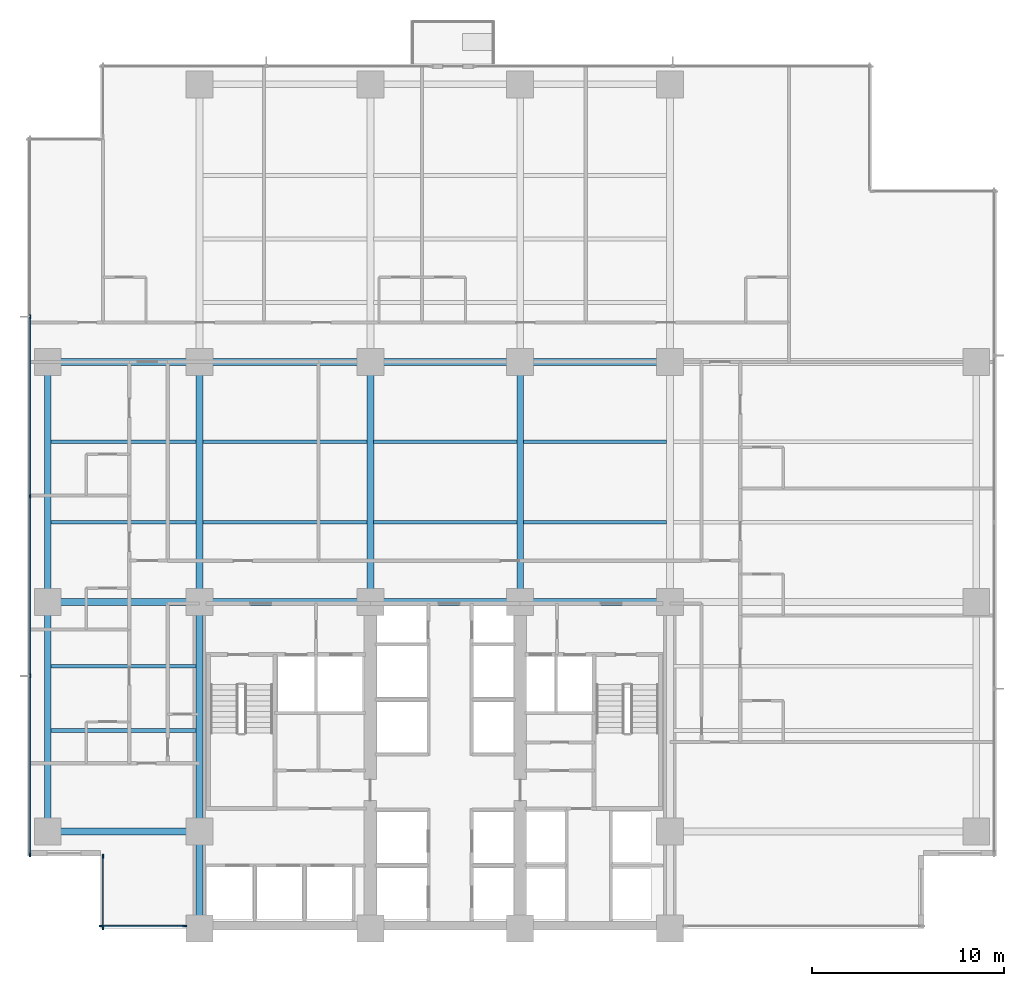
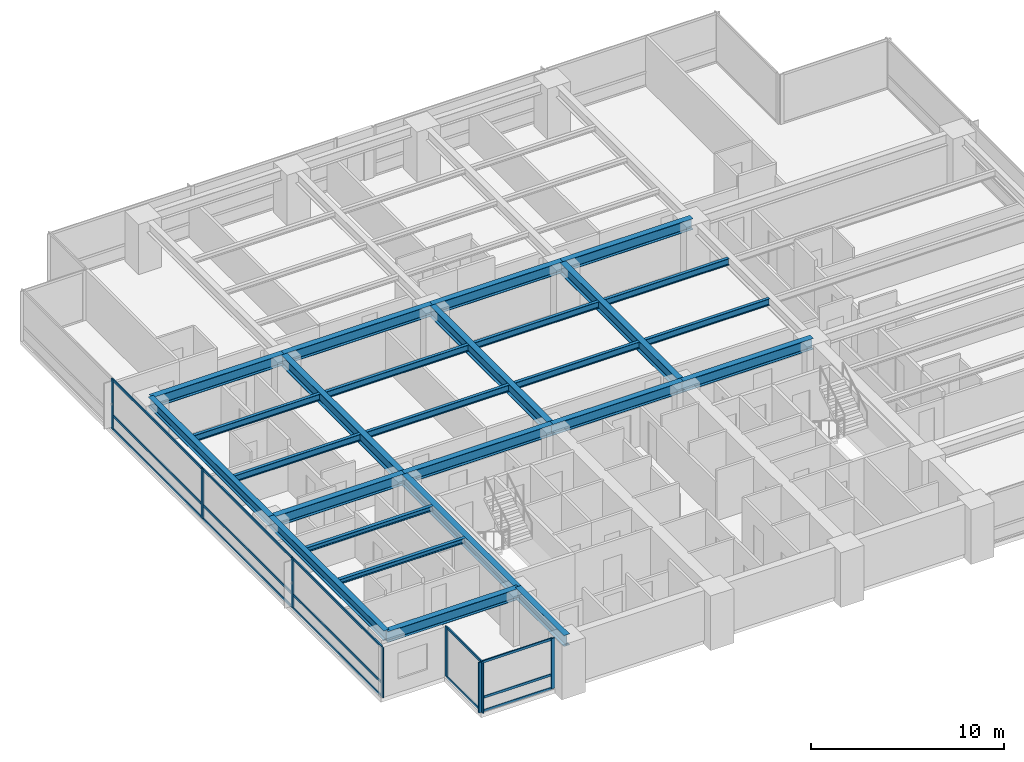
# One storey, part 2 of 16: 26 beams, 22 members, 3 elements without a shape of their own.
"""IFC4 building model written with IfcOpenShell, lengths in metres."""

import ifcopenshell
import ifcopenshell.guid

model = None  # the IFC model being written
_history = None  # IfcOwnerHistory: only IFC2X3 demands one
_inside = {}  # id of a spatial element -> (the spatial element, [elements in it])
_under = {}  # id of a project, library or spatial element -> (it, [spatial elements below it])
_declared = {}  # id of a project -> (the project, [libraries it declares])
_typed = {}  # id of a type object -> (the type object, [elements of that type])
_made_of = {}  # id of a material, layer set ... -> (it, [elements and type objects made of it])


def new_model(schema):
    """Start an empty IFC model of exactly this schema.

    Asked for "IFC4X3", IfcOpenShell would pick the latest addendum, in which some entities
    have other attributes; the version numbers below select the first issue.
    IFC2X3 requires an IfcOwnerHistory on every rooted entity: one is made here for all.
    """
    global model, _history
    if schema == "IFC4X3":
        model = ifcopenshell.file(schema_version=(4, 3, 0, 0))
    else:
        model = ifcopenshell.file(schema=schema)
    _inside.clear()
    _under.clear()
    _declared.clear()
    _typed.clear()
    _made_of.clear()
    _history = None
    if model.schema == "IFC2X3":
        org = make("IfcOrganization", Name="unknown")
        user = make(
            "IfcPersonAndOrganization",
            ThePerson=make("IfcPerson", FamilyName="unknown"),
            TheOrganization=org,
        )
        app = make(
            "IfcApplication",
            ApplicationDeveloper=org,
            Version="unknown",
            ApplicationFullName="unknown",
            ApplicationIdentifier="unknown",
        )
        _history = make(
            "IfcOwnerHistory",
            OwningUser=user,
            OwningApplication=app,
            ChangeAction="ADDED",
            CreationDate=0,
        )
    return model


def make(cls, **values):
    """One entity of the class cls with the attributes given. An attribute that is None is left unset."""
    return model.create_entity(
        cls, **{name: value for name, value in values.items() if value is not None}
    )


def rooted(cls, **values):
    """An entity with a GlobalId (a new one), such as an element, a storey or a relation."""
    return make(cls, GlobalId=ifcopenshell.guid.new(), OwnerHistory=_history, **values)


def si_unit(unit_type, name, prefix=None):
    """IfcSIUnit, for example si_unit("LENGTHUNIT", "METRE", prefix="MILLI")."""
    return make("IfcSIUnit", UnitType=unit_type, Prefix=prefix, Name=name)


def assignment(units):
    """IfcUnitAssignment: the units of a project."""
    return None if units is None else make("IfcUnitAssignment", Units=units)


def point(xyz):
    """IfcCartesianPoint."""
    return None if xyz is None else make("IfcCartesianPoint", Coordinates=xyz)


def direction(xyz):
    """IfcDirection."""
    return None if xyz is None else make("IfcDirection", DirectionRatios=xyz)


def frame(location, z_axis=None, x_axis=None):
    """IfcAxis2Placement3D, a coordinate frame: its origin and axes. An axis left out is left unset."""
    return make(
        "IfcAxis2Placement3D",
        Location=point(location),
        Axis=direction(z_axis),
        RefDirection=direction(x_axis),
    )


def frame_2d(location, x_axis=None):
    """IfcAxis2Placement2D, a coordinate frame in the plane: its origin and x axis."""
    return make(
        "IfcAxis2Placement2D", Location=point(location), RefDirection=direction(x_axis)
    )


def origin():
    """The frame at (0, 0, 0) with its axes left unset."""
    return frame((0.0, 0.0, 0.0))


def origin_2d():
    """The frame at (0, 0) in the plane with its x axis left unset."""
    return frame_2d((0.0, 0.0))


def place(relative_to, where):
    """IfcLocalPlacement: puts the frame where relative to a parent placement (None: the world)."""
    return make(
        "IfcLocalPlacement", PlacementRelTo=relative_to, RelativePlacement=where
    )


def context(
    kind, dimensions, precision=None, world=None, true_north=None, identifier=None
):
    """IfcGeometricRepresentationContext, for example the 3D "Model" context."""
    return make(
        "IfcGeometricRepresentationContext",
        ContextIdentifier=identifier,
        ContextType=kind,
        CoordinateSpaceDimension=dimensions,
        Precision=precision,
        WorldCoordinateSystem=world,
        TrueNorth=true_north,
    )


def subcontext(parent, identifier, kind, view, scale=None):
    """IfcGeometricRepresentationSubContext, for example "Body" below "Model"."""
    return make(
        "IfcGeometricRepresentationSubContext",
        ContextIdentifier=identifier,
        ContextType=kind,
        ParentContext=parent,
        TargetScale=scale,
        TargetView=view,
    )


def project(units=None, contexts=None):
    """IfcProject with its units and contexts."""
    return rooted(
        "IfcProject",
        Name="project",
        RepresentationContexts=contexts,
        UnitsInContext=assignment(units),
    )


def spatial(cls, under=None, at=None, **own):
    """A site, building, storey or space (cls), placed at a placement, below another one or the project."""
    s = rooted(cls, ObjectPlacement=at, **own)
    if under is not None:
        _under.setdefault(under.id(), (under, []))[1].append(s)
    return s


def profile(cls, at=None, kind="AREA", **sizes):
    """A parametric profile (cls). Its sizes go by their IFC names, for example OverallWidth=200.0."""
    return make(cls, ProfileType=kind, Position=at, **sizes)


def rectangle(**sizes):
    """IfcRectangleProfileDef."""
    return profile("IfcRectangleProfileDef", **sizes)


def i_section(**sizes):
    """IfcIShapeProfileDef."""
    return profile("IfcIShapeProfileDef", **sizes)


def extrude(swept, where, along, depth):
    """IfcExtrudedAreaSolid: the profile swept, set in the frame where, extruded along a direction by depth."""
    return make(
        "IfcExtrudedAreaSolid",
        SweptArea=swept,
        Position=where,
        ExtrudedDirection=direction(along),
        Depth=depth,
    )


def shape(context_of_items, identifier, shape_type, items):
    """IfcShapeRepresentation: the items that make up one representation, for example the "Body"."""
    return make(
        "IfcShapeRepresentation",
        ContextOfItems=context_of_items,
        RepresentationIdentifier=identifier,
        RepresentationType=shape_type,
        Items=items,
    )


def material(Name=None, Category=None):
    """IfcMaterial."""
    return make("IfcMaterial", Name=Name, Category=Category)


def layer(
    of_material, thickness, ventilated=None, Name=None, Category=None, Priority=None
):
    """IfcMaterialLayer: one layer of a wall or slab, of a material (None: an air gap)."""
    return make(
        "IfcMaterialLayer",
        Material=of_material,
        LayerThickness=thickness,
        IsVentilated=ventilated,
        Name=Name,
        Category=Category,
        Priority=Priority,
    )


def layer_set(layers, Name=None):
    """IfcMaterialLayerSet."""
    return make("IfcMaterialLayerSet", MaterialLayers=layers, LayerSetName=Name)


def material_profile(
    of_material, cross_section, Name=None, Category=None, Priority=None
):
    """IfcMaterialProfile: a cross section and its material."""
    return make(
        "IfcMaterialProfile",
        Name=Name,
        Material=of_material,
        Profile=cross_section,
        Priority=Priority,
        Category=Category,
    )


def profile_set(profiles, Name=None, composite=None):
    """IfcMaterialProfileSet."""
    return make(
        "IfcMaterialProfileSet",
        Name=Name,
        MaterialProfiles=profiles,
        CompositeProfile=composite,
    )


def made_of(thing, what):
    """Note that an element or type object is made of a material, layer set ...; save() writes the relation."""
    if what is not None:
        _made_of.setdefault(what.id(), (what, []))[1].append(thing)
    return thing


def type_object(cls, material=None, **own):
    """A type object (cls), such as IfcWallType, which elements share."""
    return made_of(rooted(cls, **own), material)


def element(
    cls,
    number,
    at=None,
    inside=None,
    cuts=None,
    type_object=None,
    material=None,
    context=None,
    identifier="Body",
    shape_type=None,
    held_by="IfcProductDefinitionShape",
    body=None,
    shapes=None,
    **own,
):
    """One element of the class cls, such as IfcWall. Its Tag is "e" and its number.

    at: its placement. inside: the storey or other place that contains it. cuts: it is an
    opening in that element (IfcRelVoidsElement). A single representation is given by context,
    identifier, shape_type and body (its items); several are given by shapes. held_by: the class
    of the entity that holds the representations. save() writes the other relations.
    """
    e = rooted(cls, Tag="e%d" % number, ObjectPlacement=at, **own)
    if body is not None:
        shapes = [shape(context, identifier, shape_type, body)]
    if shapes is not None:
        e.Representation = make(held_by, Representations=shapes)
    if inside is not None:
        _inside.setdefault(inside.id(), (inside, []))[1].append(e)
    if cuts is not None:
        rooted(
            "IfcRelVoidsElement", RelatingBuildingElement=cuts, RelatedOpeningElement=e
        )
    if type_object is not None:
        _typed.setdefault(type_object.id(), (type_object, []))[1].append(e)
    return made_of(e, material)


def aggregate(whole, parts):
    """IfcRelAggregates: a whole, such as a stair, and the parts it consists of."""
    return rooted("IfcRelAggregates", RelatingObject=whole, RelatedObjects=parts)


def save(model, path):
    """Write the relations noted so far, then the file.

    IfcRelAggregates (storeys below a building ...), IfcRelContainedInSpatialStructure (elements
    in a storey), IfcRelDefinesByType, IfcRelAssociatesMaterial and IfcRelDeclares: one each for
    every whole, place, type object, material and project.
    """
    for whole, parts in _under.values():
        aggregate(whole, parts)
    for where, things in _inside.values():
        rooted(
            "IfcRelContainedInSpatialStructure",
            RelatedElements=things,
            RelatingStructure=where,
        )
    for kind, things in _typed.values():
        rooted("IfcRelDefinesByType", RelatedObjects=things, RelatingType=kind)
    for what, things in _made_of.values():
        rooted("IfcRelAssociatesMaterial", RelatedObjects=things, RelatingMaterial=what)
    for by, libraries in _declared.values():
        rooted("IfcRelDeclares", RelatingContext=by, RelatedDefinitions=libraries)
    model.write(path)


model = new_model("IFC4")

# Units and contexts
model_context = context("Model", 3, precision=1e-05, world=origin(), true_north=direction((0.0, 1.0)))
body_context = subcontext(model_context, "Body", "Model", "MODEL_VIEW")
ifc_project = project(units=[si_unit("LENGTHUNIT", "METRE"), si_unit("AREAUNIT", "SQUARE_METRE"), si_unit("VOLUMEUNIT", "CUBIC_METRE"), si_unit("PLANEANGLEUNIT", "RADIAN"), si_unit("MASSUNIT", "GRAM", prefix="KILO")], contexts=[model_context])

# Site, building, storey
site_placement = place(None, origin())
site = spatial("IfcSite", under=ifc_project, at=site_placement, CompositionType="ELEMENT")
building_placement = place(site_placement, origin())
building = spatial("IfcBuilding", under=site, at=building_placement, Name="Qalmaran Belvedere Hotel", CompositionType="ELEMENT")
storey_placement = place(building_placement, frame((0.0, 0.0, 71.89990234375)))
storey = spatial("IfcBuildingStorey", under=building, at=storey_placement, Name="L18", CompositionType="ELEMENT", Elevation=71.89990234375)

# Beams
ifc_material_1 = material(Name="Steel S355JR", Category="steel")
ifc_material_profile_1 = material_profile(ifc_material_1, i_section(OverallWidth=0.202880859375, OverallDepth=0.302978515625, WebThickness=0.007568359375, FlangeThickness=0.01318359375, FilletRadius=0.012939453125, at=origin_2d()), Name="W310X60")
ifc_profile_set_1 = profile_set([ifc_material_profile_1], Name="Steel S355JR")
beam_type_1 = type_object("IfcBeamType", Name="BM-JST-W310X60", PredefinedType="JOIST", material=ifc_profile_set_1)
for number, where, z_axis, x_axis, name in (
    (1, (12.5615234375, 13.800048828125, 3.028564453125), (1.0, 0.0, 0.0), (0.0, 1.0, 0.0), "L18 West Wing Joist 038"),
    (2, (12.5615234375, 17.14990234375, 3.028564453125), (1.0, 0.0, 0.0), (0.0, 1.0, 0.0), "L18 West Wing Joist 040"),
):
    element("IfcBeam", number, at=place(storey_placement, frame(where, z_axis=z_axis, x_axis=x_axis)), inside=storey, type_object=beam_type_1, Name=name, PredefinedType="JOIST", context=body_context, shape_type="SweptSolid", body=[
        extrude(i_section(OverallWidth=0.202880859375, OverallDepth=0.302978515625, WebThickness=0.007568359375, FlangeThickness=0.01318359375, FilletRadius=0.012939453125, at=origin_2d()), origin(), (0.0, 0.0, 1.0), 7.56298828125),
    ])
ifc_material_profile_2 = material_profile(ifc_material_1, i_section(OverallWidth=0.180908203125, OverallDepth=0.4169921875, WebThickness=0.010986328125, FlangeThickness=0.018310546875, FilletRadius=0.014892578125, at=origin_2d()), Name="W410X85")
ifc_profile_set_2 = profile_set([ifc_material_profile_2], Name="Steel S355JR")
beam_type_2 = type_object("IfcBeamType", Name="BM-SB1-W410X85", PredefinedType="BEAM", material=ifc_profile_set_2)
beam_1_placement = place(storey_placement, frame((12.5615234375, 24.64990234375, 2.9716796875), z_axis=(1.0, 0.0, 0.0), x_axis=(0.0, 1.0, 0.0)))
element("IfcBeam", 3, at=beam_1_placement, inside=storey, type_object=beam_type_2, Name="L18 West Secondary Beam 028", PredefinedType="BEAM", context=body_context, shape_type="SweptSolid", body=[
    extrude(i_section(OverallWidth=0.180908203125, OverallDepth=0.4169921875, WebThickness=0.010986328125, FlangeThickness=0.018310546875, FilletRadius=0.014892578125, at=origin_2d()), origin(), (0.0, 0.0, 1.0), 7.56298828125),
])
beam_2_placement = place(storey_placement, frame((20.4755859375, 24.64990234375, 2.9716796875), z_axis=(1.0, 0.0, 0.0), x_axis=(0.0, 1.0, 0.0)))
element("IfcBeam", 4, at=beam_2_placement, inside=storey, type_object=beam_type_2, Name="L18 Secondary Floor Beam 029", PredefinedType="BEAM", context=body_context, shape_type="SweptSolid", body=[
    extrude(i_section(OverallWidth=0.180908203125, OverallDepth=0.4169921875, WebThickness=0.010986328125, FlangeThickness=0.018310546875, FilletRadius=0.014892578125, at=origin_2d()), origin(), (0.0, 0.0, 1.0), 8.548828125),
])
for number, where, z_axis, x_axis, name in (
    (5, (29.37548828125, 24.64990234375, 2.9716796875), (1.0, 0.0, 0.0), (0.0, 1.0, 0.0), "L18 Secondary Floor Beam 030"),
    (6, (37.175537109375, 24.64990234375, 2.9716796875), (1.0, 0.0, 0.0), (0.0, 1.0, 0.0), "L18 Secondary Floor Beam 031"),
):
    element("IfcBeam", number, at=place(storey_placement, frame(where, z_axis=z_axis, x_axis=x_axis)), inside=storey, type_object=beam_type_2, Name=name, PredefinedType="BEAM", context=body_context, shape_type="SweptSolid", body=[
        extrude(i_section(OverallWidth=0.180908203125, OverallDepth=0.4169921875, WebThickness=0.010986328125, FlangeThickness=0.018310546875, FilletRadius=0.014892578125, at=origin_2d()), origin(), (0.0, 0.0, 1.0), 7.448974609375),
    ])
beam_3_placement = place(storey_placement, frame((12.5615234375, 28.85009765625, 2.9716796875), z_axis=(1.0, 0.0, 0.0), x_axis=(0.0, 1.0, 0.0)))
element("IfcBeam", 7, at=beam_3_placement, inside=storey, type_object=beam_type_2, Name="L18 West Secondary Beam 033", PredefinedType="BEAM", context=body_context, shape_type="SweptSolid", body=[
    extrude(i_section(OverallWidth=0.180908203125, OverallDepth=0.4169921875, WebThickness=0.010986328125, FlangeThickness=0.018310546875, FilletRadius=0.014892578125, at=origin_2d()), origin(), (0.0, 0.0, 1.0), 7.56298828125),
])
beam_4_placement = place(storey_placement, frame((20.4755859375, 28.85009765625, 2.9716796875), z_axis=(1.0, 0.0, 0.0), x_axis=(0.0, 1.0, 0.0)))
element("IfcBeam", 8, at=beam_4_placement, inside=storey, type_object=beam_type_2, Name="L18 Secondary Floor Beam 034", PredefinedType="BEAM", context=body_context, shape_type="SweptSolid", body=[
    extrude(i_section(OverallWidth=0.180908203125, OverallDepth=0.4169921875, WebThickness=0.010986328125, FlangeThickness=0.018310546875, FilletRadius=0.014892578125, at=origin_2d()), origin(), (0.0, 0.0, 1.0), 8.548828125),
])
for number, where, z_axis, x_axis, name in (
    (9, (29.37548828125, 28.85009765625, 2.9716796875), (1.0, 0.0, 0.0), (0.0, 1.0, 0.0), "L18 Secondary Floor Beam 035"),
    (10, (37.175537109375, 28.85009765625, 2.9716796875), (1.0, 0.0, 0.0), (0.0, 1.0, 0.0), "L18 Secondary Floor Beam 036"),
):
    element("IfcBeam", number, at=place(storey_placement, frame(where, z_axis=z_axis, x_axis=x_axis)), inside=storey, type_object=beam_type_2, Name=name, PredefinedType="BEAM", context=body_context, shape_type="SweptSolid", body=[
        extrude(i_section(OverallWidth=0.180908203125, OverallDepth=0.4169921875, WebThickness=0.010986328125, FlangeThickness=0.018310546875, FilletRadius=0.014892578125, at=origin_2d()), origin(), (0.0, 0.0, 1.0), 7.448974609375),
    ])
ifc_material_profile_3 = material_profile(ifc_material_1, i_section(OverallWidth=0.326904296875, OverallDepth=0.6220703125, WebThickness=0.015380859375, FlangeThickness=0.0244140625, FilletRadius=0.02001953125, at=origin_2d()), Name="W610X195")
ifc_profile_set_3 = profile_set([ifc_material_profile_3], Name="Steel S355JR")
beam_type_3 = type_object("IfcBeamType", Name="BM-SP1-W610X195", PredefinedType="SPANDREL", material=ifc_profile_set_3)
beam_5_placement = place(storey_placement, frame((12.39990234375, 8.550048828125, 2.869140625), z_axis=(0.0, 1.0, 0.0), x_axis=(-1.0, 0.0, 0.0)))
element("IfcBeam", 11, at=beam_5_placement, inside=storey, type_object=beam_type_3, Name="L18 Perimeter Spandrel 01", PredefinedType="SPANDREL", context=body_context, shape_type="SweptSolid", body=[
    extrude(i_section(OverallWidth=0.326904296875, OverallDepth=0.6220703125, WebThickness=0.015380859375, FlangeThickness=0.0244140625, FilletRadius=0.02001953125, at=origin_2d()), origin(), (0.0, 0.0, 1.0), 11.949951171875),
])
beam_6_placement = place(storey_placement, frame((12.39990234375, 20.5, 2.869140625), z_axis=(0.0, 1.0, 0.0), x_axis=(-1.0, 0.0, 0.0)))
element("IfcBeam", 12, at=beam_6_placement, inside=storey, type_object=beam_type_3, Name="L18 Perimeter Spandrel 02", PredefinedType="SPANDREL", context=body_context, shape_type="SweptSolid", body=[
    extrude(i_section(OverallWidth=0.326904296875, OverallDepth=0.6220703125, WebThickness=0.015380859375, FlangeThickness=0.0244140625, FilletRadius=0.02001953125, at=origin_2d()), origin(), (0.0, 0.0, 1.0), 12.5),
])
ifc_material_profile_4 = material_profile(ifc_material_1, i_section(OverallWidth=0.35498046875, OverallDepth=0.695068359375, WebThickness=0.015380859375, FlangeThickness=0.02490234375, FilletRadius=0.02197265625, at=origin_2d()), Name="W690X217")
ifc_profile_set_4 = profile_set([ifc_material_profile_4], Name="Steel S355JR")
beam_type_4 = type_object("IfcBeamType", Name="BM-Z1-W690X217", PredefinedType="USERDEFINED", material=ifc_profile_set_4)
beam_7_placement = place(storey_placement, frame((20.300048828125, 20.5, 2.83251953125), z_axis=(1.0, 0.0, 0.0), x_axis=(0.0, 1.0, 0.0)))
element("IfcBeam", 13, at=beam_7_placement, inside=storey, type_object=beam_type_4, Name="L18 Interior E-W Girder 08", ObjectType="GIRDER", PredefinedType="USERDEFINED", context=body_context, shape_type="SweptSolid", body=[
    extrude(i_section(OverallWidth=0.35498046875, OverallDepth=0.695068359375, WebThickness=0.015380859375, FlangeThickness=0.02490234375, FilletRadius=0.02197265625, at=origin_2d()), origin(), (0.0, 0.0, 1.0), 8.89990234375),
])
for number, where, z_axis, x_axis, name in (
    (14, (29.199951171875, 20.5, 2.83251953125), (1.0, 0.0, 0.0), (0.0, 1.0, 0.0), "L18 Interior E-W Girder 09"),
    (15, (37.0, 20.5, 2.83251953125), (1.0, 0.0, 0.0), (0.0, 1.0, 0.0), "L18 Interior E-W Girder 10"),
):
    element("IfcBeam", number, at=place(storey_placement, frame(where, z_axis=z_axis, x_axis=x_axis)), inside=storey, type_object=beam_type_4, Name=name, ObjectType="GIRDER", PredefinedType="USERDEFINED", context=body_context, shape_type="SweptSolid", body=[
        extrude(i_section(OverallWidth=0.35498046875, OverallDepth=0.695068359375, WebThickness=0.015380859375, FlangeThickness=0.02490234375, FilletRadius=0.02197265625, at=origin_2d()), origin(), (0.0, 0.0, 1.0), 7.800048828125),
    ])
beam_8_placement = place(storey_placement, frame((20.300048828125, 33.0, 2.83251953125), z_axis=(1.0, 0.0, 0.0), x_axis=(0.0, 1.0, 0.0)))
element("IfcBeam", 16, at=beam_8_placement, inside=storey, type_object=beam_type_4, Name="L18 Interior E-W Girder 11", ObjectType="GIRDER", PredefinedType="USERDEFINED", context=body_context, shape_type="SweptSolid", body=[
    extrude(i_section(OverallWidth=0.35498046875, OverallDepth=0.695068359375, WebThickness=0.015380859375, FlangeThickness=0.02490234375, FilletRadius=0.02197265625, at=origin_2d()), origin(), (0.0, 0.0, 1.0), 8.89990234375),
])
for number, where, z_axis, x_axis, name in (
    (17, (29.199951171875, 33.0, 2.83251953125), (1.0, 0.0, 0.0), (0.0, 1.0, 0.0), "L18 Interior E-W Girder 12"),
    (18, (37.0, 33.0, 2.83251953125), (1.0, 0.0, 0.0), (0.0, 1.0, 0.0), "L18 Interior E-W Girder 13"),
):
    element("IfcBeam", number, at=place(storey_placement, frame(where, z_axis=z_axis, x_axis=x_axis)), inside=storey, type_object=beam_type_4, Name=name, ObjectType="GIRDER", PredefinedType="USERDEFINED", context=body_context, shape_type="SweptSolid", body=[
        extrude(i_section(OverallWidth=0.35498046875, OverallDepth=0.695068359375, WebThickness=0.015380859375, FlangeThickness=0.02490234375, FilletRadius=0.02197265625, at=origin_2d()), origin(), (0.0, 0.0, 1.0), 7.800048828125),
    ])
for number, where, z_axis, x_axis, name in (
    (19, (20.300048828125, 20.5, 2.83251953125), (0.0, 1.0, 0.0), (-1.0, 0.0, 0.0), "L18 Mid-Plate N-S Girder 14"),
    (20, (29.199951171875, 20.5, 2.83251953125), (0.0, 1.0, 0.0), (-1.0, 0.0, 0.0), "L18 Mid-Plate N-S Girder 16"),
    (21, (37.0, 20.5, 2.83251953125), (0.0, 1.0, 0.0), (-1.0, 0.0, 0.0), "L18 Mid-Plate N-S Girder 18"),
):
    element("IfcBeam", number, at=place(storey_placement, frame(where, z_axis=z_axis, x_axis=x_axis)), inside=storey, type_object=beam_type_4, Name=name, ObjectType="GIRDER", PredefinedType="USERDEFINED", context=body_context, shape_type="SweptSolid", body=[
        extrude(i_section(OverallWidth=0.35498046875, OverallDepth=0.695068359375, WebThickness=0.015380859375, FlangeThickness=0.02490234375, FilletRadius=0.02197265625, at=origin_2d()), origin(), (0.0, 0.0, 1.0), 12.5),
    ])
for number, where, z_axis, x_axis, name in (
    (22, (12.39990234375, 8.550048828125, 2.83251953125), (1.0, 0.0, 0.0), (0.0, 1.0, 0.0), "L18 West Wing Girder 22"),
    (23, (12.39990234375, 20.5, 2.83251953125), (1.0, 0.0, 0.0), (0.0, 1.0, 0.0), "L18 West Wing Girder 23"),
    (24, (12.39990234375, 33.0, 2.83251953125), (1.0, 0.0, 0.0), (0.0, 1.0, 0.0), "L18 West Wing Girder 24"),
):
    element("IfcBeam", number, at=place(storey_placement, frame(where, z_axis=z_axis, x_axis=x_axis)), inside=storey, type_object=beam_type_4, Name=name, ObjectType="GIRDER", PredefinedType="USERDEFINED", context=body_context, shape_type="SweptSolid", body=[
        extrude(i_section(OverallWidth=0.35498046875, OverallDepth=0.695068359375, WebThickness=0.015380859375, FlangeThickness=0.02490234375, FilletRadius=0.02197265625, at=origin_2d()), origin(), (0.0, 0.0, 1.0), 7.900146484375),
    ])
beam_9_placement = place(storey_placement, frame((20.300048828125, 3.5, 2.83251953125), z_axis=(0.0, 1.0, 0.0), x_axis=(-1.0, 0.0, 0.0)))
element("IfcBeam", 25, at=beam_9_placement, inside=storey, type_object=beam_type_4, Name="L18 West Core Edge Girder A", ObjectType="GIRDER", PredefinedType="USERDEFINED", context=body_context, shape_type="SweptSolid", body=[
    extrude(i_section(OverallWidth=0.35498046875, OverallDepth=0.695068359375, WebThickness=0.015380859375, FlangeThickness=0.02490234375, FilletRadius=0.02197265625, at=origin_2d()), origin(), (0.0, 0.0, 1.0), 5.050048828125),
])
beam_10_placement = place(storey_placement, frame((20.300048828125, 8.550048828125, 2.83251953125), z_axis=(0.0, 1.0, 0.0), x_axis=(-1.0, 0.0, 0.0)))
element("IfcBeam", 26, at=beam_10_placement, inside=storey, type_object=beam_type_4, Name="L18 West Core Edge Girder B", ObjectType="GIRDER", PredefinedType="USERDEFINED", context=body_context, shape_type="SweptSolid", body=[
    extrude(i_section(OverallWidth=0.35498046875, OverallDepth=0.695068359375, WebThickness=0.015380859375, FlangeThickness=0.02490234375, FilletRadius=0.02197265625, at=origin_2d()), origin(), (0.0, 0.0, 1.0), 11.949951171875),
])

# Curtain wall, members
ifc_material_2 = material(Name="Anodised Bronze Aluminium", Category="aluminium")
ifc_layer = layer(ifc_material_2, 0.2099609375, Name="Anodised Bronze Aluminium")
ifc_layer_set = layer_set([ifc_layer], Name="Anodised Bronze Aluminium")
curtain_wall_type = type_object("IfcCurtainWallType", Name="CW2-TOWER-LOWER", PredefinedType="NOTDEFINED", material=ifc_layer_set)
curtain_wall_1_placement = place(storey_placement, origin())
curtain_wall_1 = element("IfcCurtainWall", 27, at=curtain_wall_1_placement, inside=storey, type_object=curtain_wall_type, Name="L18 Curtain Wall CW2", PredefinedType="NOTDEFINED")
ifc_material_profile_5 = material_profile(ifc_material_2, rectangle(XDim=0.074951171875, YDim=0.219970703125, at=origin_2d()), Name="CWM75X220")
ifc_profile_set_5 = profile_set([ifc_material_profile_5], Name="Anodised Bronze Aluminium")
member_type_1 = type_object("IfcMemberType", Name="CWM-75X220", PredefinedType="MULLION", material=ifc_profile_set_5)
member_1_placement = place(storey_placement, frame((15.1875, 3.6201171875, 0.0), z_axis=(0.0, 0.0, 1.0), x_axis=(0.0, 1.0, 0.0)))
member_1 = element("IfcMember", 28, at=member_1_placement, type_object=member_type_1, Name="CW2 mullion 1", PredefinedType="MULLION", context=body_context, shape_type="SweptSolid", body=[
    extrude(rectangle(XDim=0.074951171875, YDim=0.219970703125, at=origin_2d()), origin(), (0.0, 0.0, 1.0), 3.18017578125),
])
member_2_placement = place(storey_placement, frame((19.5224609375, 3.6201171875, 0.0), z_axis=(0.0, 0.0, 1.0), x_axis=(0.0, 1.0, 0.0)))
member_2 = element("IfcMember", 29, at=member_2_placement, type_object=member_type_1, Name="CW2 mullion 2", PredefinedType="MULLION", context=body_context, shape_type="SweptSolid", body=[
    extrude(rectangle(XDim=0.074951171875, YDim=0.219970703125, at=origin_2d()), origin(), (0.0, 0.0, 1.0), 3.18017578125),
])

curtain_wall_2_placement = place(storey_placement, origin())
curtain_wall_2 = element("IfcCurtainWall", 30, at=curtain_wall_2_placement, inside=storey, type_object=curtain_wall_type, Name="L18 Curtain Wall CW2", PredefinedType="NOTDEFINED")
member_3_placement = place(storey_placement, frame((11.469970703125, 35.35009765625, 0.0), z_axis=(0.0, 0.0, 1.0), x_axis=(1.0, 0.0, 0.0)))
member_3 = element("IfcMember", 31, at=member_3_placement, type_object=member_type_1, Name="CW2 mullion 2", PredefinedType="MULLION", context=body_context, shape_type="SweptSolid", body=[
    extrude(rectangle(XDim=0.074951171875, YDim=0.219970703125, at=origin_2d()), origin(), (0.0, 0.0, 1.0), 3.18017578125),
])
member_4_placement = place(storey_placement, frame((11.469970703125, 26.0, 0.0), z_axis=(0.0, 0.0, 1.0), x_axis=(1.0, 0.0, 0.0)))
member_4 = element("IfcMember", 32, at=member_4_placement, type_object=member_type_1, Name="CW2 mullion 3", PredefinedType="MULLION", context=body_context, shape_type="SweptSolid", body=[
    extrude(rectangle(XDim=0.074951171875, YDim=0.219970703125, at=origin_2d()), origin(), (0.0, 0.0, 1.0), 3.18017578125),
])
member_5_placement = place(storey_placement, frame((11.469970703125, 16.64990234375, 0.0), z_axis=(0.0, 0.0, 1.0), x_axis=(1.0, 0.0, 0.0)))
member_5 = element("IfcMember", 33, at=member_5_placement, type_object=member_type_1, Name="CW2 mullion 4", PredefinedType="MULLION", context=body_context, shape_type="SweptSolid", body=[
    extrude(rectangle(XDim=0.074951171875, YDim=0.219970703125, at=origin_2d()), origin(), (0.0, 0.0, 1.0), 3.18017578125),
])
member_6_placement = place(storey_placement, frame((11.469970703125, 7.33740234375, 0.0), z_axis=(0.0, 0.0, 1.0), x_axis=(1.0, 0.0, 0.0)))
member_6 = element("IfcMember", 34, at=member_6_placement, type_object=member_type_1, Name="CW2 mullion 5", PredefinedType="MULLION", context=body_context, shape_type="SweptSolid", body=[
    extrude(rectangle(XDim=0.074951171875, YDim=0.219970703125, at=origin_2d()), origin(), (0.0, 0.0, 1.0), 3.18017578125),
])

curtain_wall_3_placement = place(storey_placement, origin())
curtain_wall_3 = element("IfcCurtainWall", 35, at=curtain_wall_3_placement, inside=storey, type_object=curtain_wall_type, Name="L18 Curtain Wall CW2", PredefinedType="NOTDEFINED")
member_7_placement = place(storey_placement, frame((15.27001953125, 7.262451171875, 0.0), z_axis=(0.0, 0.0, 1.0), x_axis=(1.0, 0.0, 0.0)))
member_7 = element("IfcMember", 36, at=member_7_placement, type_object=member_type_1, Name="CW2 mullion 1", PredefinedType="MULLION", context=body_context, shape_type="SweptSolid", body=[
    extrude(rectangle(XDim=0.074951171875, YDim=0.219970703125, at=origin_2d()), origin(), (0.0, 0.0, 1.0), 3.18017578125),
])
member_8_placement = place(storey_placement, frame((15.27001953125, 3.53759765625, 0.0), z_axis=(0.0, 0.0, 1.0), x_axis=(1.0, 0.0, 0.0)))
member_8 = element("IfcMember", 37, at=member_8_placement, type_object=member_type_1, Name="CW2 mullion 2", PredefinedType="MULLION", context=body_context, shape_type="SweptSolid", body=[
    extrude(rectangle(XDim=0.074951171875, YDim=0.219970703125, at=origin_2d()), origin(), (0.0, 0.0, 1.0), 3.18017578125),
])

# Member
ifc_material_profile_6 = material_profile(ifc_material_2, rectangle(XDim=0.070068359375, YDim=0.14990234375, at=origin_2d()), Name="CWT70X150")
ifc_profile_set_6 = profile_set([ifc_material_profile_6], Name="Anodised Bronze Aluminium")
member_type_2 = type_object("IfcMemberType", Name="CWT-70X150", PredefinedType="USERDEFINED", material=ifc_profile_set_6)
member_9_placement = place(storey_placement, frame((15.22509765625, 3.6201171875, 0.03515625), z_axis=(1.0, 0.0, 0.0), x_axis=(0.0, 1.0, 0.0)))
member_9 = element("IfcMember", 38, at=member_9_placement, type_object=member_type_2, Name="CW2 transom 1.1", ObjectType="TRANSOM", PredefinedType="USERDEFINED", context=body_context, shape_type="SweptSolid", body=[
    extrude(rectangle(XDim=0.070068359375, YDim=0.14990234375, at=origin_2d()), origin(), (0.0, 0.0, 1.0), 4.260009765625),
])

member_10_placement = place(storey_placement, frame((15.22509765625, 3.6201171875, 0.890380859375), z_axis=(1.0, 0.0, 0.0), x_axis=(0.0, 1.0, 0.0)))
member_10 = element("IfcMember", 39, at=member_10_placement, type_object=member_type_2, Name="CW2 transom 1.2", ObjectType="TRANSOM", PredefinedType="USERDEFINED", context=body_context, shape_type="SweptSolid", body=[
    extrude(rectangle(XDim=0.070068359375, YDim=0.14990234375, at=origin_2d()), origin(), (0.0, 0.0, 1.0), 4.260009765625),
])

member_11_placement = place(storey_placement, frame((15.22509765625, 3.6201171875, 3.14501953125), z_axis=(1.0, 0.0, 0.0), x_axis=(0.0, 1.0, 0.0)))
member_11 = element("IfcMember", 40, at=member_11_placement, type_object=member_type_2, Name="CW2 transom 1.3", ObjectType="TRANSOM", PredefinedType="USERDEFINED", context=body_context, shape_type="SweptSolid", body=[
    extrude(rectangle(XDim=0.070068359375, YDim=0.14990234375, at=origin_2d()), origin(), (0.0, 0.0, 1.0), 4.260009765625),
])

aggregate(curtain_wall_1, [member_1, member_2, member_9, member_10, member_11])

member_12_placement = place(storey_placement, frame((11.469970703125, 35.3125, 0.03515625), z_axis=(0.0, -1.0, 0.0), x_axis=(1.0, 0.0, 0.0)))
member_12 = element("IfcMember", 41, at=member_12_placement, type_object=member_type_2, Name="CW2 transom 2.1", ObjectType="TRANSOM", PredefinedType="USERDEFINED", context=body_context, shape_type="SweptSolid", body=[
    extrude(rectangle(XDim=0.070068359375, YDim=0.14990234375, at=origin_2d()), origin(), (0.0, 0.0, 1.0), 9.27490234375),
])

member_13_placement = place(storey_placement, frame((11.469970703125, 35.3125, 0.890380859375), z_axis=(0.0, -1.0, 0.0), x_axis=(1.0, 0.0, 0.0)))
member_13 = element("IfcMember", 42, at=member_13_placement, type_object=member_type_2, Name="CW2 transom 2.2", ObjectType="TRANSOM", PredefinedType="USERDEFINED", context=body_context, shape_type="SweptSolid", body=[
    extrude(rectangle(XDim=0.070068359375, YDim=0.14990234375, at=origin_2d()), origin(), (0.0, 0.0, 1.0), 9.27490234375),
])

member_14_placement = place(storey_placement, frame((11.469970703125, 35.3125, 3.14501953125), z_axis=(0.0, -1.0, 0.0), x_axis=(1.0, 0.0, 0.0)))
member_14 = element("IfcMember", 43, at=member_14_placement, type_object=member_type_2, Name="CW2 transom 2.3", ObjectType="TRANSOM", PredefinedType="USERDEFINED", context=body_context, shape_type="SweptSolid", body=[
    extrude(rectangle(XDim=0.070068359375, YDim=0.14990234375, at=origin_2d()), origin(), (0.0, 0.0, 1.0), 9.27490234375),
])

member_15_placement = place(storey_placement, frame((11.469970703125, 25.96240234375, 0.03515625), z_axis=(0.0, -1.0, 0.0), x_axis=(1.0, 0.0, 0.0)))
member_15 = element("IfcMember", 44, at=member_15_placement, type_object=member_type_2, Name="CW2 transom 3.1", ObjectType="TRANSOM", PredefinedType="USERDEFINED", context=body_context, shape_type="SweptSolid", body=[
    extrude(rectangle(XDim=0.070068359375, YDim=0.14990234375, at=origin_2d()), origin(), (0.0, 0.0, 1.0), 9.27490234375),
])

member_16_placement = place(storey_placement, frame((11.469970703125, 25.96240234375, 0.890380859375), z_axis=(0.0, -1.0, 0.0), x_axis=(1.0, 0.0, 0.0)))
member_16 = element("IfcMember", 45, at=member_16_placement, type_object=member_type_2, Name="CW2 transom 3.2", ObjectType="TRANSOM", PredefinedType="USERDEFINED", context=body_context, shape_type="SweptSolid", body=[
    extrude(rectangle(XDim=0.070068359375, YDim=0.14990234375, at=origin_2d()), origin(), (0.0, 0.0, 1.0), 9.27490234375),
])

member_17_placement = place(storey_placement, frame((11.469970703125, 25.96240234375, 3.14501953125), z_axis=(0.0, -1.0, 0.0), x_axis=(1.0, 0.0, 0.0)))
member_17 = element("IfcMember", 46, at=member_17_placement, type_object=member_type_2, Name="CW2 transom 3.3", ObjectType="TRANSOM", PredefinedType="USERDEFINED", context=body_context, shape_type="SweptSolid", body=[
    extrude(rectangle(XDim=0.070068359375, YDim=0.14990234375, at=origin_2d()), origin(), (0.0, 0.0, 1.0), 9.27490234375),
])

member_18_placement = place(storey_placement, frame((11.469970703125, 16.612548828125, 0.03515625), z_axis=(0.0, -1.0, 0.0), x_axis=(1.0, 0.0, 0.0)))
member_18 = element("IfcMember", 47, at=member_18_placement, type_object=member_type_2, Name="CW2 transom 4.1", ObjectType="TRANSOM", PredefinedType="USERDEFINED", context=body_context, shape_type="SweptSolid", body=[
    extrude(rectangle(XDim=0.070068359375, YDim=0.14990234375, at=origin_2d()), origin(), (0.0, 0.0, 1.0), 9.237548828125),
])

member_19_placement = place(storey_placement, frame((11.469970703125, 16.612548828125, 0.890380859375), z_axis=(0.0, -1.0, 0.0), x_axis=(1.0, 0.0, 0.0)))
member_19 = element("IfcMember", 48, at=member_19_placement, type_object=member_type_2, Name="CW2 transom 4.2", ObjectType="TRANSOM", PredefinedType="USERDEFINED", context=body_context, shape_type="SweptSolid", body=[
    extrude(rectangle(XDim=0.070068359375, YDim=0.14990234375, at=origin_2d()), origin(), (0.0, 0.0, 1.0), 9.237548828125),
])

member_20_placement = place(storey_placement, frame((11.469970703125, 16.612548828125, 3.14501953125), z_axis=(0.0, -1.0, 0.0), x_axis=(1.0, 0.0, 0.0)))
member_20 = element("IfcMember", 49, at=member_20_placement, type_object=member_type_2, Name="CW2 transom 4.3", ObjectType="TRANSOM", PredefinedType="USERDEFINED", context=body_context, shape_type="SweptSolid", body=[
    extrude(rectangle(XDim=0.070068359375, YDim=0.14990234375, at=origin_2d()), origin(), (0.0, 0.0, 1.0), 9.237548828125),
])

aggregate(curtain_wall_2, [member_3, member_4, member_5, member_6, member_12, member_13, member_14, member_15, member_16, member_17, member_18, member_19, member_20])

member_21_placement = place(storey_placement, frame((15.27001953125, 7.22509765625, 0.03515625), z_axis=(0.0, -1.0, 0.0), x_axis=(1.0, 0.0, 0.0)))
member_21 = element("IfcMember", 50, at=member_21_placement, type_object=member_type_2, Name="CW2 transom 1.1", ObjectType="TRANSOM", PredefinedType="USERDEFINED", context=body_context, shape_type="SweptSolid", body=[
    extrude(rectangle(XDim=0.070068359375, YDim=0.14990234375, at=origin_2d()), origin(), (0.0, 0.0, 1.0), 3.650146484375),
])

member_22_placement = place(storey_placement, frame((15.27001953125, 7.22509765625, 3.14501953125), z_axis=(0.0, -1.0, 0.0), x_axis=(1.0, 0.0, 0.0)))
member_22 = element("IfcMember", 51, at=member_22_placement, type_object=member_type_2, Name="CW2 transom 1.2", ObjectType="TRANSOM", PredefinedType="USERDEFINED", context=body_context, shape_type="SweptSolid", body=[
    extrude(rectangle(XDim=0.070068359375, YDim=0.14990234375, at=origin_2d()), origin(), (0.0, 0.0, 1.0), 3.650146484375),
])

aggregate(curtain_wall_3, [member_7, member_8, member_21, member_22])

save(model, "model.ifc")
